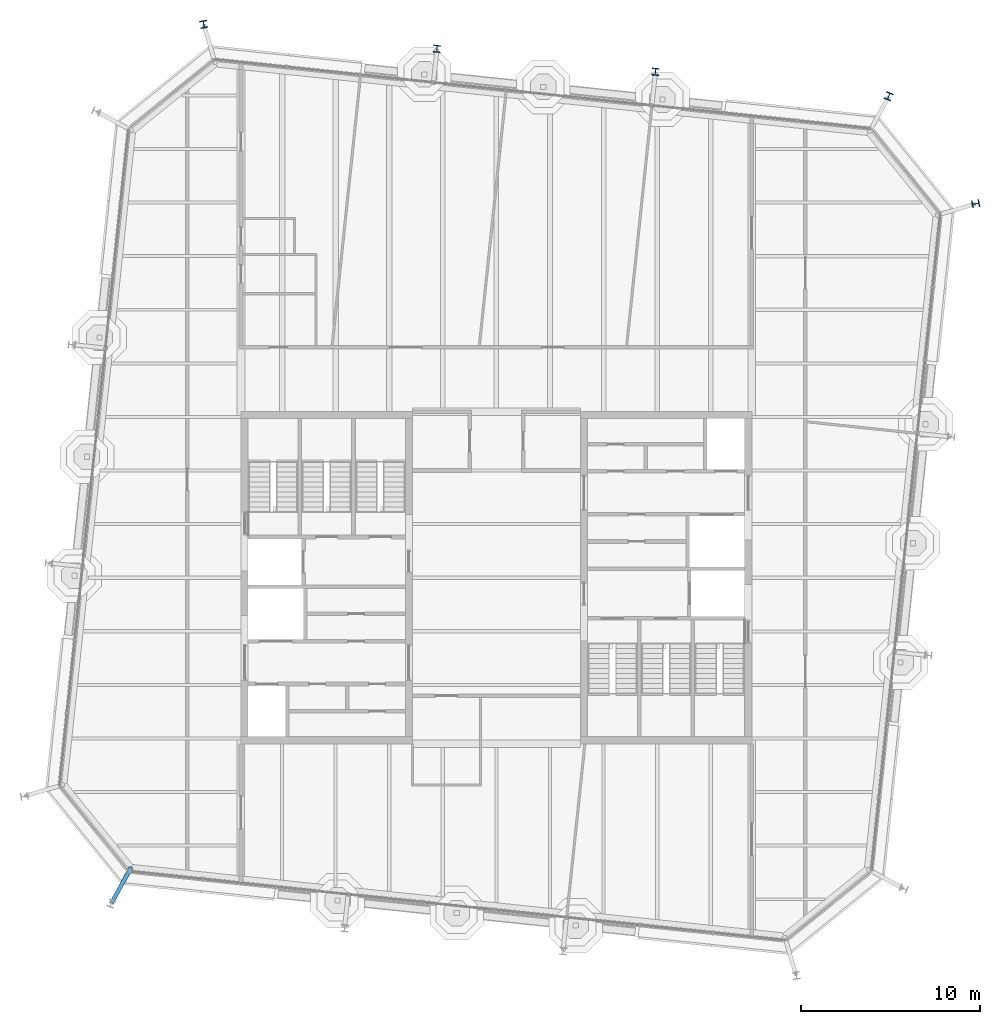
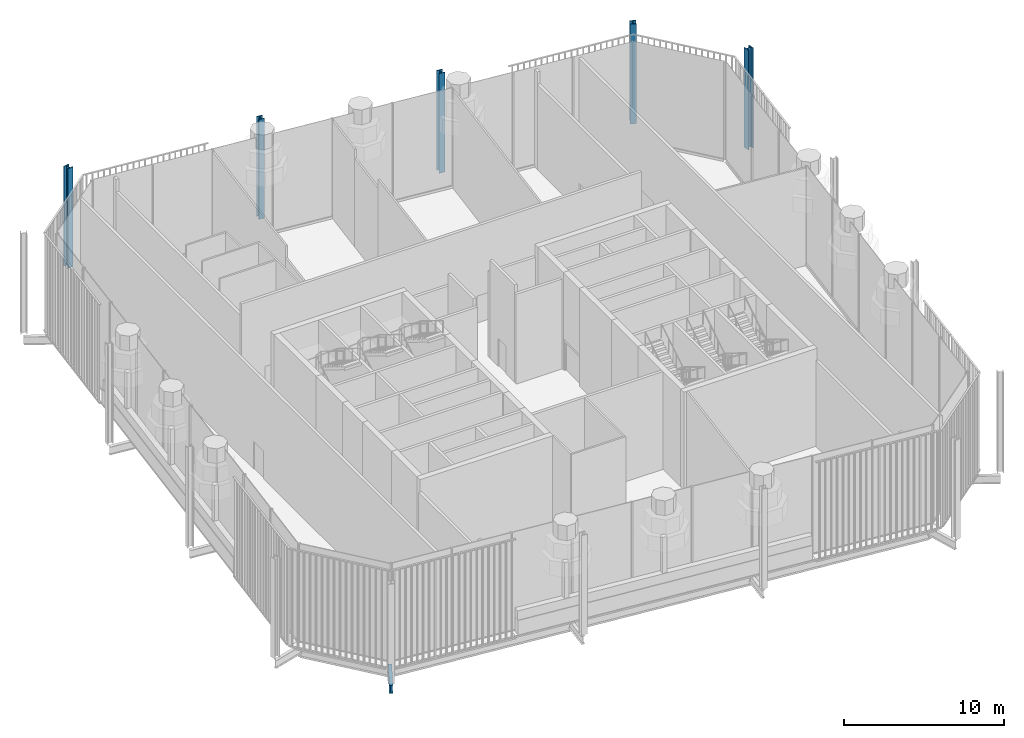
# One storey, part 2 of 17: 5 columns, 1 beam.
"""IFC4 building model written with IfcOpenShell, lengths in metres."""

from ifc_helpers import new_model, si_unit, direction, frame, origin, origin_2d, place, context, subcontext, project, spatial, i_section, extrude, material, material_profile, profile_set, type_object, element, save


model = new_model("IFC4")

# Units and contexts
model_context = context("Model", 3, precision=1e-05, world=origin(), true_north=direction((0.0, 1.0)))
body_context = subcontext(model_context, "Body", "Model", "MODEL_VIEW")
ifc_project = project(units=[si_unit("LENGTHUNIT", "METRE"), si_unit("AREAUNIT", "SQUARE_METRE"), si_unit("VOLUMEUNIT", "CUBIC_METRE"), si_unit("PLANEANGLEUNIT", "RADIAN"), si_unit("MASSUNIT", "GRAM", prefix="KILO")], contexts=[model_context])

# Site, building, storey
site_placement = place(None, origin())
site = spatial("IfcSite", under=ifc_project, at=site_placement, CompositionType="ELEMENT")
building_placement = place(site_placement, origin())
building = spatial("IfcBuilding", under=site, at=building_placement, Name="Millrace Tower", CompositionType="ELEMENT")
storey_placement = place(building_placement, frame((0.0, 0.0, 311.10009765625)))
storey = spatial("IfcBuildingStorey", under=building, at=storey_placement, Name="L72", CompositionType="ELEMENT", Elevation=311.10009765625)

# Columns
ifc_material_1 = material(Name="Steel ASTM A913 Grade 65", Category="steel")
ifc_material_profile_1 = material_profile(ifc_material_1, i_section(OverallWidth=0.4013671875, OverallDepth=0.398681640625, WebThickness=0.02490234375, FlangeThickness=0.03955078125, FilletRadius=0.01513671875, at=origin_2d()))
ifc_profile_set_1 = profile_set([ifc_material_profile_1], Name="Steel ASTM A913 Grade 65")
column_type_1 = type_object("IfcColumnType", Name="Exoskeleton column W14x211", PredefinedType="COLUMN", material=ifc_profile_set_1)
for number, where, z_axis, x_axis, name in (
    (1, (8.9033203125, 28.321533203125, 0.0), (0.0, 0.0, 1.0), (-0.994521897246, 0.104528445407, 0.0), "COL-E-L72-X11"),
    (2, (-3.329345703125, 29.607177734375, 0.0), (0.0, 0.0, 1.0), (-0.994521897246, 0.104528445407, 0.0), "COL-E-L72-X12"),
):
    element("IfcColumn", number, at=place(storey_placement, frame(where, z_axis=z_axis, x_axis=x_axis)), inside=storey, type_object=column_type_1, Name=name, PredefinedType="COLUMN", context=body_context, shape_type="SweptSolid", body=[
        extrude(i_section(OverallWidth=0.4013671875, OverallDepth=0.398681640625, WebThickness=0.02490234375, FlangeThickness=0.03955078125, FilletRadius=0.01513671875, at=origin_2d()), origin(), (0.0, 0.0, 1.0), 7.599853515625),
    ])
ifc_material_2 = material(Name="Steel ASTM A913 Grade 65", Category="steel")
ifc_material_profile_2 = material_profile(ifc_material_2, i_section(OverallWidth=0.406494140625, OverallDepth=0.41650390625, WebThickness=0.030029296875, FlangeThickness=0.048095703125, FilletRadius=0.01513671875, at=origin_2d()))
ifc_profile_set_2 = profile_set([ifc_material_profile_2], Name="Steel ASTM A913 Grade 65")
column_type_2 = type_object("IfcColumnType", Name="Exoskeleton column W14x257", PredefinedType="COLUMN", material=ifc_profile_set_2)
for number, where, z_axis, x_axis, name in (
    (3, (26.82958984375, 20.935791015625, 0.0), (0.0, 0.0, 1.0), (-0.18038747256, 0.983595628164, 0.0), "COL-E-L72-X09"),
    (4, (21.9599609375, 26.94921875, 0.0), (0.0, 0.0, 1.0), (-0.92459700658, 0.380946683176, 0.0), "COL-E-L72-X10"),
    (5, (-16.3857421875, 30.9794921875, 0.0), (0.0, 0.0, 1.0), (-0.983595628164, -0.18038747256, 0.0), "COL-E-L72-X13"),
):
    element("IfcColumn", number, at=place(storey_placement, frame(where, z_axis=z_axis, x_axis=x_axis)), inside=storey, type_object=column_type_2, Name=name, PredefinedType="COLUMN", context=body_context, shape_type="SweptSolid", body=[
        extrude(i_section(OverallWidth=0.406494140625, OverallDepth=0.41650390625, WebThickness=0.030029296875, FlangeThickness=0.048095703125, FilletRadius=0.01513671875, at=origin_2d()), origin(), (0.0, 0.0, 1.0), 7.599853515625),
    ])

# Beam
ifc_material_3 = material(Name="Steel ASTM A992 Grade 50", Category="steel")
ifc_material_profile_3 = material_profile(ifc_material_3, i_section(OverallWidth=0.23046875, OverallDepth=0.6171875, WebThickness=0.01318359375, FlangeThickness=0.022216796875, FilletRadius=0.012939453125, at=origin_2d()))
ifc_profile_set_3 = profile_set([ifc_material_profile_3], Name="Steel ASTM A992 Grade 50")
beam_type = type_object("IfcBeamType", Name="Link beam W24x94", PredefinedType="BEAM", material=ifc_profile_set_3)
beam_placement = place(storey_placement, frame((-20.447509765625, -16.20068359375, -0.55859375), z_axis=(-0.477163510307, -0.87881453358, 0.0), x_axis=(0.87881453358, -0.477163510307, 0.0)))
element("IfcBeam", 6, at=beam_placement, inside=storey, type_object=beam_type, Name="LNK-E-L72-S1-16", PredefinedType="BEAM", context=body_context, shape_type="SweptSolid", body=[
    extrude(i_section(OverallWidth=0.23046875, OverallDepth=0.6171875, WebThickness=0.01318359375, FlangeThickness=0.022216796875, FilletRadius=0.012939453125, at=origin_2d()), origin(), (0.0, 0.0, 1.0), 2.3310546875),
])

save(model, "model.ifc")
